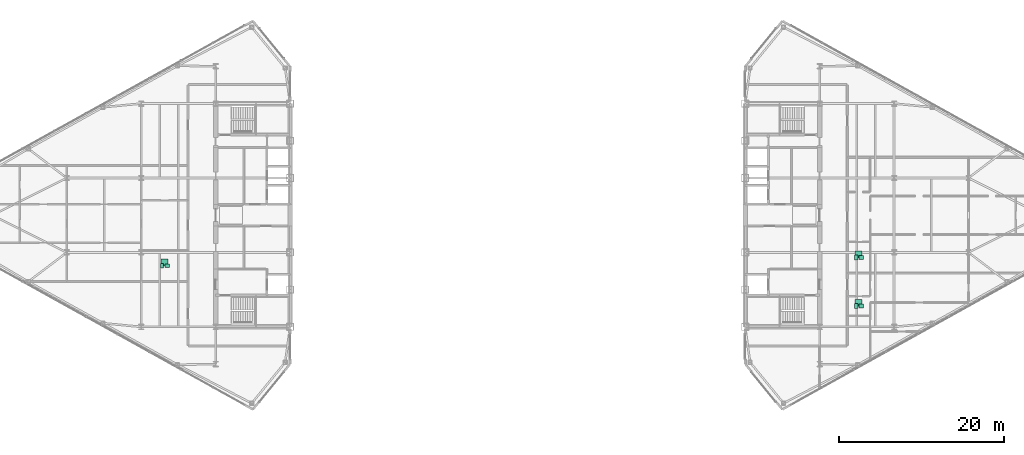
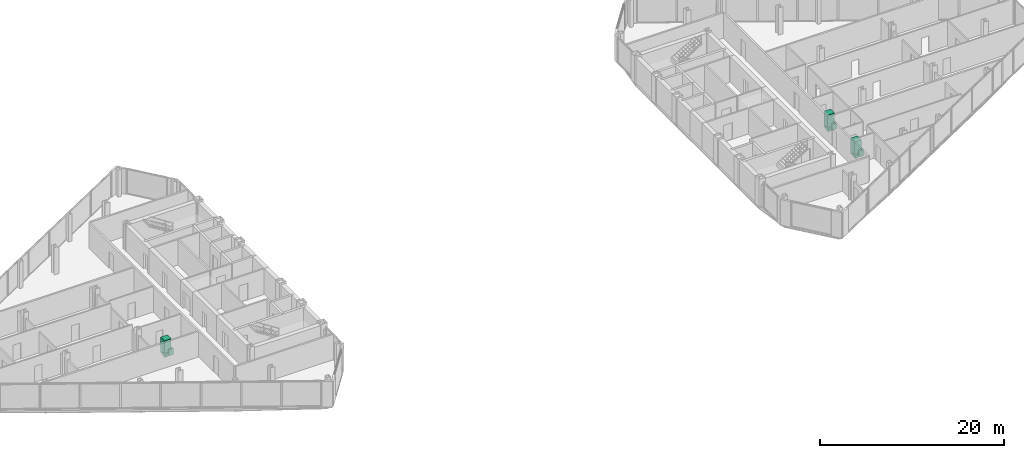
# One storey, part 26 of 26: 9 sanitary terminals.
"""IFC4 building model written with IfcOpenShell, lengths in metres."""

from ifc_helpers import new_model, si_unit, direction, frame, origin, origin_2d, place, context, subcontext, project, spatial, rectangle, extrude, source, transform, mapped, material, type_object, type_shapes, element, save


model = new_model("IFC4")

# Units and contexts
model_context = context("Model", 3, precision=1e-05, world=origin(), true_north=direction((0.0, 1.0)))
body_context = subcontext(model_context, "Body", "Model", "MODEL_VIEW")
ifc_project = project(units=[si_unit("LENGTHUNIT", "METRE"), si_unit("AREAUNIT", "SQUARE_METRE"), si_unit("VOLUMEUNIT", "CUBIC_METRE"), si_unit("PLANEANGLEUNIT", "RADIAN"), si_unit("MASSUNIT", "GRAM", prefix="KILO")], contexts=[model_context])

# Site, building, storey
site_placement = place(None, origin())
site = spatial("IfcSite", under=ifc_project, at=site_placement, CompositionType="ELEMENT")
building_placement = place(site_placement, origin())
building = spatial("IfcBuilding", under=site, at=building_placement, Name="Seokmaru Belvedere", CompositionType="ELEMENT")
storey_placement = place(building_placement, frame((0.0, 0.0, 174.300048828125)))
storey = spatial("IfcBuildingStorey", under=building, at=storey_placement, Name="L46", CompositionType="ELEMENT", Elevation=174.300048828125)

# Sanitary terminals
ifc_material_1 = material(Name="Vitreous China Sanitaryware")
sanitary_terminal_type_1 = type_object("IfcSanitaryTerminalType", Name="Wall-Hung Vitreous China WC Pan", PredefinedType="TOILETPAN", material=ifc_material_1)
shared_shape_1 = source(origin(), body_context, "Body", "SweptSolid", [
    extrude(rectangle(XDim=0.3798828125, YDim=0.56005859375, at=origin_2d()), origin(), (0.0, 0.0, 1.0), 0.419921875),
])
type_shapes(sanitary_terminal_type_1, [shared_shape_1])
for number, where, z_axis, x_axis, name in (
    (1, (-42.97509765625, -6.111083984375, 0.0), (0.0, 0.0, 1.0), (1.0, 0.0, 0.0), "L46 Vitreous China WC 0238"),
    (2, (40.925048828125, -10.969970703125, 0.0), (0.0, 0.0, 1.0), (1.0, 0.0, 0.0), "L46 Vitreous China WC 0239"),
    (3, (40.925048828125, -5.111083984375, 0.0), (0.0, 0.0, 1.0), (1.0, 0.0, 0.0), "L46 Vitreous China WC 0240"),
):
    element("IfcSanitaryTerminal", number, at=place(storey_placement, frame(where, z_axis=z_axis, x_axis=x_axis)), inside=storey, type_object=sanitary_terminal_type_1, Name=name, PredefinedType="TOILETPAN", context=body_context, shape_type="MappedRepresentation", body=[
        mapped(shared_shape_1, transform((0.0, 0.0, 0.0), scale=1.0)),
    ])
sanitary_terminal_type_2 = type_object("IfcSanitaryTerminalType", Name="Countertop Ceramic Washhand Basin", PredefinedType="WASHHANDBASIN", material=ifc_material_1)
shared_shape_2 = source(origin(), body_context, "Body", "SweptSolid", [
    extrude(rectangle(XDim=0.550048828125, YDim=0.449951171875, at=origin_2d()), origin(), (0.0, 0.0, 1.0), 0.820068359375),
])
type_shapes(sanitary_terminal_type_2, [shared_shape_2])
for number, where, z_axis, x_axis, name in (
    (4, (-42.375, -6.111083984375, 0.0), (0.0, 0.0, 1.0), (1.0, 0.0, 0.0), "L46 Ceramic Washhand Basin 0238"),
    (5, (41.52490234375, -10.969970703125, 0.0), (0.0, 0.0, 1.0), (1.0, 0.0, 0.0), "L46 Ceramic Washhand Basin 0239"),
    (6, (41.52490234375, -5.111083984375, 0.0), (0.0, 0.0, 1.0), (1.0, 0.0, 0.0), "L46 Ceramic Washhand Basin 0240"),
):
    element("IfcSanitaryTerminal", number, at=place(storey_placement, frame(where, z_axis=z_axis, x_axis=x_axis)), inside=storey, type_object=sanitary_terminal_type_2, Name=name, PredefinedType="WASHHANDBASIN", context=body_context, shape_type="MappedRepresentation", body=[
        mapped(shared_shape_2, transform((0.0, 0.0, 0.0), scale=1.0)),
    ])
ifc_material_2 = material(Name="Stainless Steel 316", Category="steel")
sanitary_terminal_type_3 = type_object("IfcSanitaryTerminalType", Name="Walk-In Thermostatic Rain Shower Enclosure", PredefinedType="SHOWER", material=ifc_material_2)
shared_shape_3 = source(origin(), body_context, "Body", "SweptSolid", [
    extrude(rectangle(XDim=0.85009765625, YDim=0.85009765625, at=origin_2d()), origin(), (0.0, 0.0, 1.0), 2.050048828125),
])
type_shapes(sanitary_terminal_type_3, [shared_shape_3])
for number, where, z_axis, x_axis, name in (
    (7, (-42.675048828125, -5.73095703125, 0.0), (0.0, 0.0, 1.0), (1.0, 0.0, 0.0), "L46 Walk-In Shower 0238"),
    (8, (41.22509765625, -10.590087890625, 0.0), (0.0, 0.0, 1.0), (1.0, 0.0, 0.0), "L46 Walk-In Shower 0239"),
    (9, (41.22509765625, -4.73095703125, 0.0), (0.0, 0.0, 1.0), (1.0, 0.0, 0.0), "L46 Walk-In Shower 0240"),
):
    element("IfcSanitaryTerminal", number, at=place(storey_placement, frame(where, z_axis=z_axis, x_axis=x_axis)), inside=storey, type_object=sanitary_terminal_type_3, Name=name, PredefinedType="SHOWER", context=body_context, shape_type="MappedRepresentation", body=[
        mapped(shared_shape_3, transform((0.0, 0.0, 0.0), scale=1.0)),
    ])

save(model, "model.ifc")
